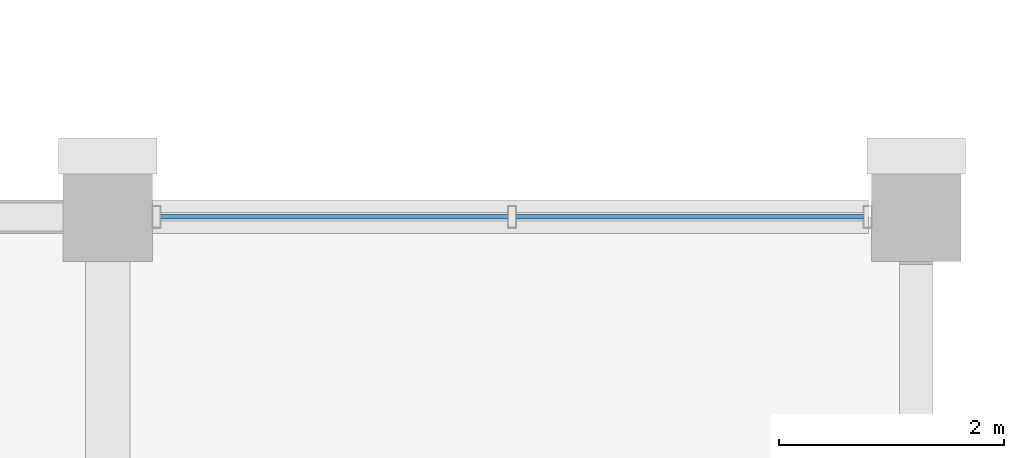
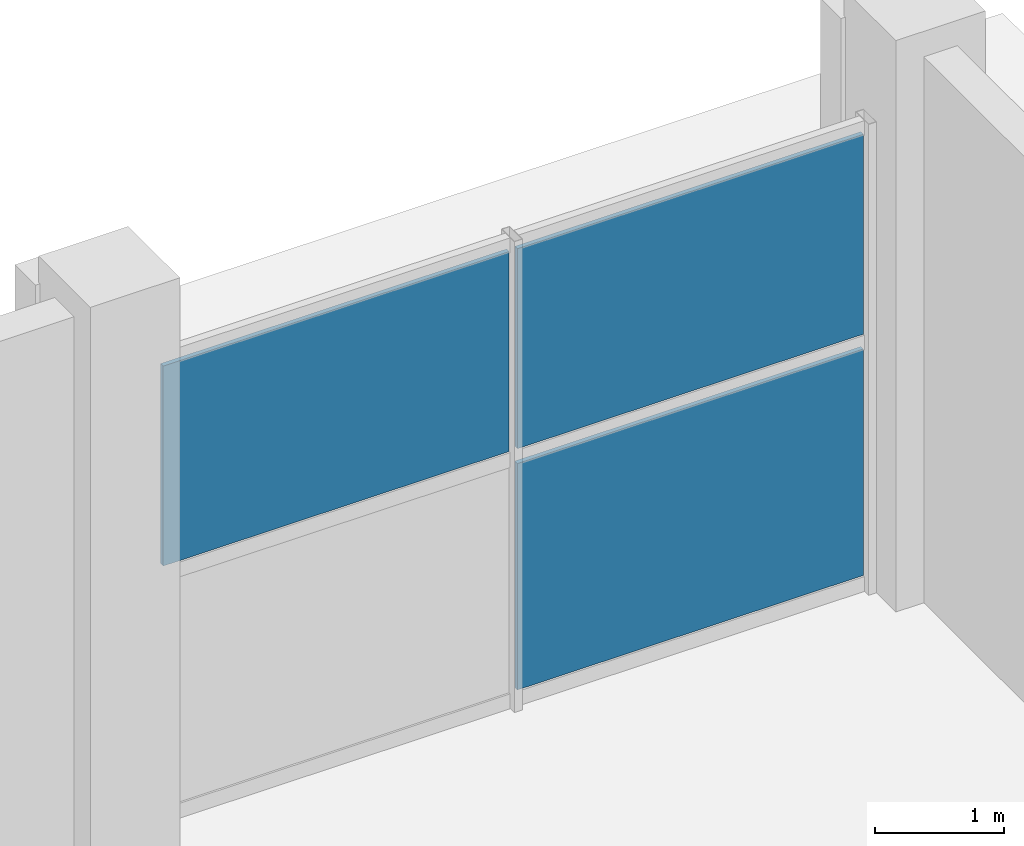
# One storey, part 54 of 90: 3 plates, 1 element without a shape of its own.
"""IFC4 building model written with IfcOpenShell, lengths in metres."""

import ifcopenshell
import ifcopenshell.guid

model = None  # the IFC model being written
_history = None  # IfcOwnerHistory: only IFC2X3 demands one
_inside = {}  # id of a spatial element -> (the spatial element, [elements in it])
_under = {}  # id of a project, library or spatial element -> (it, [spatial elements below it])
_declared = {}  # id of a project -> (the project, [libraries it declares])
_typed = {}  # id of a type object -> (the type object, [elements of that type])
_made_of = {}  # id of a material, layer set ... -> (it, [elements and type objects made of it])


def new_model(schema):
    """Start an empty IFC model of exactly this schema.

    Asked for "IFC4X3", IfcOpenShell would pick the latest addendum, in which some entities
    have other attributes; the version numbers below select the first issue.
    IFC2X3 requires an IfcOwnerHistory on every rooted entity: one is made here for all.
    """
    global model, _history
    if schema == "IFC4X3":
        model = ifcopenshell.file(schema_version=(4, 3, 0, 0))
    else:
        model = ifcopenshell.file(schema=schema)
    _inside.clear()
    _under.clear()
    _declared.clear()
    _typed.clear()
    _made_of.clear()
    _history = None
    if model.schema == "IFC2X3":
        org = make("IfcOrganization", Name="unknown")
        user = make(
            "IfcPersonAndOrganization",
            ThePerson=make("IfcPerson", FamilyName="unknown"),
            TheOrganization=org,
        )
        app = make(
            "IfcApplication",
            ApplicationDeveloper=org,
            Version="unknown",
            ApplicationFullName="unknown",
            ApplicationIdentifier="unknown",
        )
        _history = make(
            "IfcOwnerHistory",
            OwningUser=user,
            OwningApplication=app,
            ChangeAction="ADDED",
            CreationDate=0,
        )
    return model


def make(cls, **values):
    """One entity of the class cls with the attributes given. An attribute that is None is left unset."""
    return model.create_entity(
        cls, **{name: value for name, value in values.items() if value is not None}
    )


def rooted(cls, **values):
    """An entity with a GlobalId (a new one), such as an element, a storey or a relation."""
    return make(cls, GlobalId=ifcopenshell.guid.new(), OwnerHistory=_history, **values)


def si_unit(unit_type, name, prefix=None):
    """IfcSIUnit, for example si_unit("LENGTHUNIT", "METRE", prefix="MILLI")."""
    return make("IfcSIUnit", UnitType=unit_type, Prefix=prefix, Name=name)


def assignment(units):
    """IfcUnitAssignment: the units of a project."""
    return None if units is None else make("IfcUnitAssignment", Units=units)


def point(xyz):
    """IfcCartesianPoint."""
    return None if xyz is None else make("IfcCartesianPoint", Coordinates=xyz)


def direction(xyz):
    """IfcDirection."""
    return None if xyz is None else make("IfcDirection", DirectionRatios=xyz)


def frame(location, z_axis=None, x_axis=None):
    """IfcAxis2Placement3D, a coordinate frame: its origin and axes. An axis left out is left unset."""
    return make(
        "IfcAxis2Placement3D",
        Location=point(location),
        Axis=direction(z_axis),
        RefDirection=direction(x_axis),
    )


def frame_2d(location, x_axis=None):
    """IfcAxis2Placement2D, a coordinate frame in the plane: its origin and x axis."""
    return make(
        "IfcAxis2Placement2D", Location=point(location), RefDirection=direction(x_axis)
    )


def origin():
    """The frame at (0, 0, 0) with its axes left unset."""
    return frame((0.0, 0.0, 0.0))


def origin_2d():
    """The frame at (0, 0) in the plane with its x axis left unset."""
    return frame_2d((0.0, 0.0))


def place(relative_to, where):
    """IfcLocalPlacement: puts the frame where relative to a parent placement (None: the world)."""
    return make(
        "IfcLocalPlacement", PlacementRelTo=relative_to, RelativePlacement=where
    )


def context(
    kind, dimensions, precision=None, world=None, true_north=None, identifier=None
):
    """IfcGeometricRepresentationContext, for example the 3D "Model" context."""
    return make(
        "IfcGeometricRepresentationContext",
        ContextIdentifier=identifier,
        ContextType=kind,
        CoordinateSpaceDimension=dimensions,
        Precision=precision,
        WorldCoordinateSystem=world,
        TrueNorth=true_north,
    )


def subcontext(parent, identifier, kind, view, scale=None):
    """IfcGeometricRepresentationSubContext, for example "Body" below "Model"."""
    return make(
        "IfcGeometricRepresentationSubContext",
        ContextIdentifier=identifier,
        ContextType=kind,
        ParentContext=parent,
        TargetScale=scale,
        TargetView=view,
    )


def project(units=None, contexts=None):
    """IfcProject with its units and contexts."""
    return rooted(
        "IfcProject",
        Name="project",
        RepresentationContexts=contexts,
        UnitsInContext=assignment(units),
    )


def spatial(cls, under=None, at=None, **own):
    """A site, building, storey or space (cls), placed at a placement, below another one or the project."""
    s = rooted(cls, ObjectPlacement=at, **own)
    if under is not None:
        _under.setdefault(under.id(), (under, []))[1].append(s)
    return s


def profile(cls, at=None, kind="AREA", **sizes):
    """A parametric profile (cls). Its sizes go by their IFC names, for example OverallWidth=200.0."""
    return make(cls, ProfileType=kind, Position=at, **sizes)


def rectangle(**sizes):
    """IfcRectangleProfileDef."""
    return profile("IfcRectangleProfileDef", **sizes)


def extrude(swept, where, along, depth):
    """IfcExtrudedAreaSolid: the profile swept, set in the frame where, extruded along a direction by depth."""
    return make(
        "IfcExtrudedAreaSolid",
        SweptArea=swept,
        Position=where,
        ExtrudedDirection=direction(along),
        Depth=depth,
    )


def shape(context_of_items, identifier, shape_type, items):
    """IfcShapeRepresentation: the items that make up one representation, for example the "Body"."""
    return make(
        "IfcShapeRepresentation",
        ContextOfItems=context_of_items,
        RepresentationIdentifier=identifier,
        RepresentationType=shape_type,
        Items=items,
    )


def material(Name=None, Category=None):
    """IfcMaterial."""
    return make("IfcMaterial", Name=Name, Category=Category)


def layer(
    of_material, thickness, ventilated=None, Name=None, Category=None, Priority=None
):
    """IfcMaterialLayer: one layer of a wall or slab, of a material (None: an air gap)."""
    return make(
        "IfcMaterialLayer",
        Material=of_material,
        LayerThickness=thickness,
        IsVentilated=ventilated,
        Name=Name,
        Category=Category,
        Priority=Priority,
    )


def layer_set(layers, Name=None):
    """IfcMaterialLayerSet."""
    return make("IfcMaterialLayerSet", MaterialLayers=layers, LayerSetName=Name)


def made_of(thing, what):
    """Note that an element or type object is made of a material, layer set ...; save() writes the relation."""
    if what is not None:
        _made_of.setdefault(what.id(), (what, []))[1].append(thing)
    return thing


def type_object(cls, material=None, **own):
    """A type object (cls), such as IfcWallType, which elements share."""
    return made_of(rooted(cls, **own), material)


def element(
    cls,
    number,
    at=None,
    inside=None,
    cuts=None,
    type_object=None,
    material=None,
    context=None,
    identifier="Body",
    shape_type=None,
    held_by="IfcProductDefinitionShape",
    body=None,
    shapes=None,
    **own,
):
    """One element of the class cls, such as IfcWall. Its Tag is "e" and its number.

    at: its placement. inside: the storey or other place that contains it. cuts: it is an
    opening in that element (IfcRelVoidsElement). A single representation is given by context,
    identifier, shape_type and body (its items); several are given by shapes. held_by: the class
    of the entity that holds the representations. save() writes the other relations.
    """
    e = rooted(cls, Tag="e%d" % number, ObjectPlacement=at, **own)
    if body is not None:
        shapes = [shape(context, identifier, shape_type, body)]
    if shapes is not None:
        e.Representation = make(held_by, Representations=shapes)
    if inside is not None:
        _inside.setdefault(inside.id(), (inside, []))[1].append(e)
    if cuts is not None:
        rooted(
            "IfcRelVoidsElement", RelatingBuildingElement=cuts, RelatedOpeningElement=e
        )
    if type_object is not None:
        _typed.setdefault(type_object.id(), (type_object, []))[1].append(e)
    return made_of(e, material)


def aggregate(whole, parts):
    """IfcRelAggregates: a whole, such as a stair, and the parts it consists of."""
    return rooted("IfcRelAggregates", RelatingObject=whole, RelatedObjects=parts)


def save(model, path):
    """Write the relations noted so far, then the file.

    IfcRelAggregates (storeys below a building ...), IfcRelContainedInSpatialStructure (elements
    in a storey), IfcRelDefinesByType, IfcRelAssociatesMaterial and IfcRelDeclares: one each for
    every whole, place, type object, material and project.
    """
    for whole, parts in _under.values():
        aggregate(whole, parts)
    for where, things in _inside.values():
        rooted(
            "IfcRelContainedInSpatialStructure",
            RelatedElements=things,
            RelatingStructure=where,
        )
    for kind, things in _typed.values():
        rooted("IfcRelDefinesByType", RelatedObjects=things, RelatingType=kind)
    for what, things in _made_of.values():
        rooted("IfcRelAssociatesMaterial", RelatedObjects=things, RelatingMaterial=what)
    for by, libraries in _declared.values():
        rooted("IfcRelDeclares", RelatingContext=by, RelatedDefinitions=libraries)
    model.write(path)


model = new_model("IFC4")

# Units and contexts
model_context = context("Model", 3, precision=1e-05, world=origin(), true_north=direction((0.0, 1.0)))
body_context = subcontext(model_context, "Body", "Model", "MODEL_VIEW")
ifc_project = project(units=[si_unit("LENGTHUNIT", "METRE"), si_unit("AREAUNIT", "SQUARE_METRE"), si_unit("VOLUMEUNIT", "CUBIC_METRE"), si_unit("PLANEANGLEUNIT", "RADIAN"), si_unit("MASSUNIT", "GRAM", prefix="KILO")], contexts=[model_context])

# Site, building, storey
site_placement = place(None, origin())
site = spatial("IfcSite", under=ifc_project, at=site_placement, CompositionType="ELEMENT")
building_placement = place(site_placement, origin())
building = spatial("IfcBuilding", under=site, at=building_placement, Name="Kangsadwip Square Police Headquarters", CompositionType="ELEMENT")
storey_placement = place(building_placement, origin())
storey = spatial("IfcBuildingStorey", under=building, at=storey_placement, Name="L00", CompositionType="ELEMENT", Elevation=0.0)

# Curtain wall, plates
ifc_material_1 = material(Name="Thermally broken anodised aluminium AW-6063-T6", Category="aluminium")
ifc_layer_1 = layer(ifc_material_1, 0.159912109375)
ifc_layer_set_1 = layer_set([ifc_layer_1], Name="Thermally broken anodised aluminium AW-6063-T6")
curtain_wall_type = type_object("IfcCurtainWallType", Name="UnitisedCw6410x4450", PredefinedType="NOTDEFINED", material=ifc_layer_set_1)
curtain_wall_placement = place(storey_placement, origin())
curtain_wall = element("IfcCurtainWall", 1, at=curtain_wall_placement, inside=storey, type_object=curtain_wall_type, Name="Curtain Wall CW-L00-1588-1152", PredefinedType="NOTDEFINED")
ifc_material_2 = material(Name="Insulated ceramic-fritted spandrel safety glass", Category="glass")
ifc_layer_2 = layer(ifc_material_2, 0.0400390625)
ifc_layer_set_2 = layer_set([ifc_layer_2], Name="Insulated ceramic-fritted spandrel safety glass")
plate_type = type_object("IfcPlateType", Name="CwSpandrelSheetPanel40", PredefinedType="SHEET", material=ifc_layer_set_2)
plate_1_placement = place(storey_placement, frame((160.416259765625, 115.199951171875, 2.419921875), z_axis=(0.0, 0.0, 1.0), x_axis=(1.0, 0.0, 0.0)))
plate_1 = element("IfcPlate", 2, at=plate_1_placement, type_object=plate_type, Name="CW-12 panel 1.2", PredefinedType="SHEET", context=body_context, shape_type="SweptSolid", body=[
    extrude(rectangle(XDim=3.092529296875, YDim=0.0400390625, at=origin_2d()), origin(), (0.0, 0.0, 1.0), 1.889892578125),
])
plate_2_placement = place(storey_placement, frame((163.583740234375, 115.199951171875, 0.14013671875), z_axis=(0.0, 0.0, 1.0), x_axis=(1.0, 0.0, 0.0)))
plate_2 = element("IfcPlate", 3, at=plate_2_placement, type_object=plate_type, Name="CW-12 panel 2.1", PredefinedType="SHEET", context=body_context, shape_type="SweptSolid", body=[
    extrude(rectangle(XDim=3.092529296875, YDim=0.0400390625, at=origin_2d()), origin(), (0.0, 0.0, 1.0), 2.139892578125),
])
plate_3_placement = place(storey_placement, frame((163.583740234375, 115.199951171875, 2.419921875), z_axis=(0.0, 0.0, 1.0), x_axis=(1.0, 0.0, 0.0)))
plate_3 = element("IfcPlate", 4, at=plate_3_placement, type_object=plate_type, Name="CW-12 panel 2.2", PredefinedType="SHEET", context=body_context, shape_type="SweptSolid", body=[
    extrude(rectangle(XDim=3.092529296875, YDim=0.0400390625, at=origin_2d()), origin(), (0.0, 0.0, 1.0), 1.889892578125),
])
aggregate(curtain_wall, [plate_1, plate_2, plate_3])

save(model, "model.ifc")
